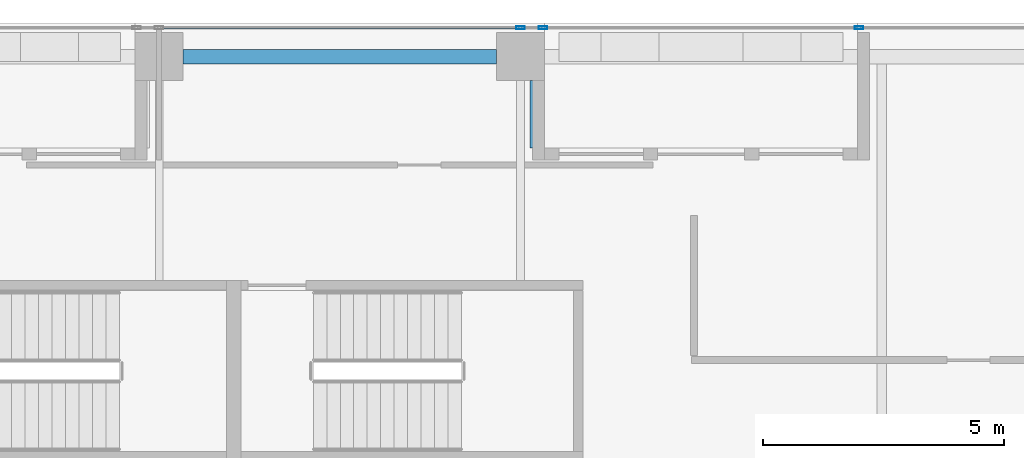
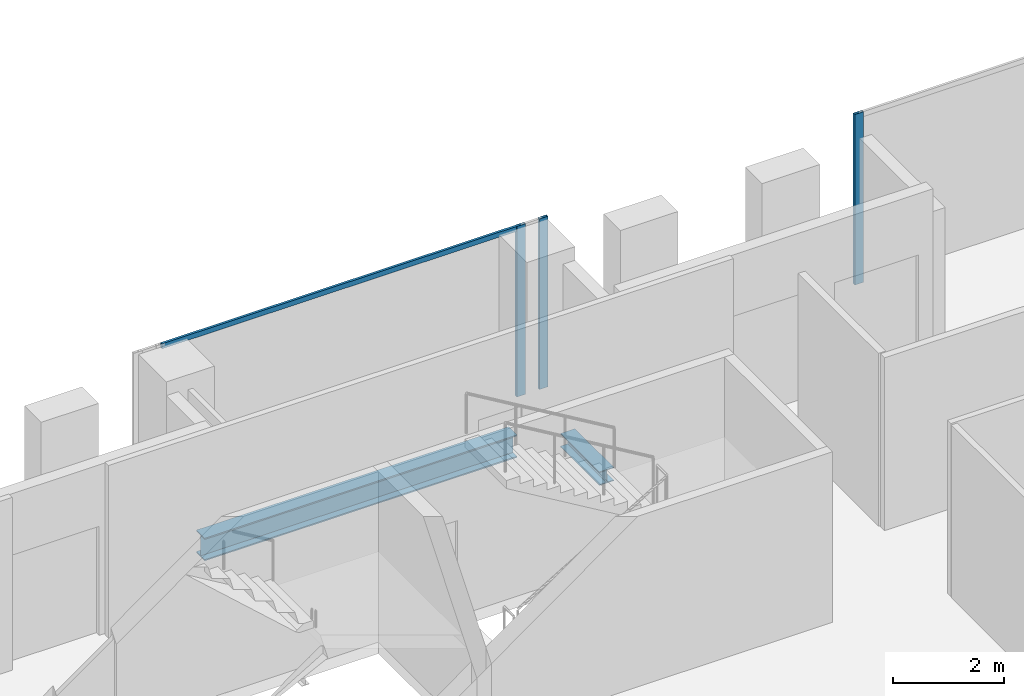
# One storey, part 20 of 38: 4 members, 2 beams, 2 elements without a shape of their own.
"""IFC4 building model written with IfcOpenShell, lengths in metres."""

from ifc_helpers import new_model, si_unit, direction, frame, origin, origin_2d, place, context, subcontext, project, spatial, hollow_rectangle, i_section, extrude, source, transform, mapped, material, material_profile, profile_set, type_object, element, aggregate, save


model = new_model("IFC4")

# Units and contexts
model_context = context("Model", 3, precision=1e-05, world=origin(), true_north=direction((0.0, 1.0)))
body_context = subcontext(model_context, "Body", "Model", "MODEL_VIEW")
ifc_project = project(units=[si_unit("LENGTHUNIT", "METRE"), si_unit("AREAUNIT", "SQUARE_METRE"), si_unit("VOLUMEUNIT", "CUBIC_METRE"), si_unit("PLANEANGLEUNIT", "RADIAN"), si_unit("MASSUNIT", "GRAM", prefix="KILO")], contexts=[model_context])

# Site, building, storey
site_placement = place(None, origin())
site = spatial("IfcSite", under=ifc_project, at=site_placement, CompositionType="ELEMENT")
building_placement = place(site_placement, origin())
building = spatial("IfcBuilding", under=site, at=building_placement, Name="Khomas Fold Tower", CompositionType="ELEMENT")
storey_placement = place(building_placement, frame((0.0, 0.0, 208.699951171875)))
storey = spatial("IfcBuildingStorey", under=building, at=storey_placement, Name="L46", CompositionType="ELEMENT", Elevation=208.699951171875)

# Beams
ifc_material_1 = material(Name="Steel S355", Category="steel")
ifc_material_profile_1 = material_profile(ifc_material_1, i_section(OverallWidth=0.300048828125, OverallDepth=0.5, WebThickness=0.014404296875, FlangeThickness=0.028076171875, at=origin_2d()), Name="HE 500 B")
ifc_profile_set_1 = profile_set([ifc_material_profile_1], Name="Steel S355")
beam_type_1 = type_object("IfcBeamType", Name="HE 500 B spandrel SB3", PredefinedType="SPANDREL", material=ifc_profile_set_1)
shared_shape_1 = source(origin(), body_context, "Body", "SweptSolid", [
    extrude(i_section(OverallWidth=0.300048828125, OverallDepth=0.5, WebThickness=0.014404296875, FlangeThickness=0.028076171875, at=origin_2d()), origin(), (0.0, 0.0, 1.0), 6.5),
])
beam_1_placement = place(storey_placement, frame((20.0, 50.300048828125, -0.5), z_axis=(1.0, 0.0, 0.0), x_axis=(0.0, 1.0, 0.0)))
element("IfcBeam", 1, at=beam_1_placement, inside=storey, type_object=beam_type_1, Name="SB3", PredefinedType="SPANDREL", context=body_context, shape_type="MappedRepresentation", body=[
    mapped(shared_shape_1, transform((0.0, 0.0, 0.0))),
])
ifc_material_2 = material(Name="Steel S355", Category="steel")
ifc_material_profile_2 = material_profile(ifc_material_2, i_section(OverallWidth=0.300048828125, OverallDepth=0.300048828125, WebThickness=0.010986328125, FlangeThickness=0.01904296875, at=origin_2d()), Name="HE 300 B")
ifc_profile_set_2 = profile_set([ifc_material_profile_2], Name="Steel S355")
beam_type_2 = type_object("IfcBeamType", Name="HE 300 B beam BB1", PredefinedType="BEAM", material=ifc_profile_set_2)
shared_shape_2 = source(origin(), body_context, "Body", "SweptSolid", [
    extrude(i_section(OverallWidth=0.300048828125, OverallDepth=0.300048828125, WebThickness=0.010986328125, FlangeThickness=0.01904296875, at=origin_2d()), origin(), (0.0, 0.0, 1.0), 1.400146484375),
])
beam_2_placement = place(storey_placement, frame((27.35009765625, 48.39990234375, -0.39990234375), z_axis=(0.0, 1.0, 0.0), x_axis=(-1.0, 0.0, 0.0)))
element("IfcBeam", 2, at=beam_2_placement, inside=storey, type_object=beam_type_2, Name="BB1", PredefinedType="BEAM", context=body_context, shape_type="MappedRepresentation", body=[
    mapped(shared_shape_2, transform((0.0, 0.0, 0.0))),
])

# Curtain wall, member
ifc_material_3 = material(Name="Aluminium framed double glazing", Category="aluminium")
curtain_wall_type = type_object("IfcCurtainWallType", Name="SK-Unitised clear-glass wall, office floors CW2", PredefinedType="NOTDEFINED", material=ifc_material_3)
curtain_wall_1_placement = place(storey_placement, origin())
curtain_wall_1 = element("IfcCurtainWall", 3, at=curtain_wall_1_placement, inside=storey, type_object=curtain_wall_type, Name="CW2 run L46 06-0", PredefinedType="NOTDEFINED")
ifc_material_4 = material(Name="Aluminium", Category="aluminium")
ifc_material_profile_3 = material_profile(ifc_material_4, hollow_rectangle(XDim=0.06005859375, YDim=0.179931640625, WallThickness=0.00390625, at=origin_2d()), Name="SK-Unitised clear-glass wall, office floors mullion CW2-M")
ifc_profile_set_3 = profile_set([ifc_material_profile_3], Name="Aluminium")
member_type_1 = type_object("IfcMemberType", Name="SK-Unitised clear-glass wall, office floors mullion CW2-M", PredefinedType="MULLION", material=ifc_profile_set_3)
shared_shape_3 = source(origin(), body_context, "Body", "SweptSolid", [
    extrude(hollow_rectangle(XDim=0.06005859375, YDim=0.179931640625, WallThickness=0.00390625, at=origin_2d()), origin(), (0.0, 0.0, 1.0), 3.75),
])
member_1_placement = place(storey_placement, frame((34.030029296875, 50.89990234375, 0.0), z_axis=(0.0, 0.0, 1.0), x_axis=(0.0, -1.0, 0.0)))
member_1 = element("IfcMember", 4, at=member_1_placement, type_object=member_type_1, Name="CW2 mullion 3", PredefinedType="MULLION", context=body_context, shape_type="MappedRepresentation", body=[
    mapped(shared_shape_3, transform((0.0, 0.0, 0.0))),
])
aggregate(curtain_wall_1, [member_1])

# Curtain wall, members
curtain_wall_2_placement = place(storey_placement, origin())
curtain_wall_2 = element("IfcCurtainWall", 5, at=curtain_wall_2_placement, inside=storey, type_object=curtain_wall_type, Name="CW2 run L46 06-1", PredefinedType="NOTDEFINED")
member_2_placement = place(storey_placement, frame((27.469970703125, 50.89990234375, 0.0), z_axis=(0.0, 0.0, 1.0), x_axis=(0.0, -1.0, 0.0)))
member_2 = element("IfcMember", 6, at=member_2_placement, type_object=member_type_1, Name="CW2 mullion 1", PredefinedType="MULLION", context=body_context, shape_type="MappedRepresentation", body=[
    mapped(shared_shape_3, transform((0.0, 0.0, 0.0))),
])
member_3_placement = place(storey_placement, frame((27.0, 50.89990234375, 0.0), z_axis=(0.0, 0.0, 1.0), x_axis=(0.0, -1.0, 0.0)))
member_3 = element("IfcMember", 7, at=member_3_placement, type_object=member_type_1, Name="CW2 mullion 2", PredefinedType="MULLION", context=body_context, shape_type="MappedRepresentation", body=[
    mapped(shared_shape_3, transform((0.0, 0.0, 0.0))),
])
ifc_material_5 = material(Name="Aluminium", Category="aluminium")
ifc_material_profile_4 = material_profile(ifc_material_5, hollow_rectangle(XDim=0.050048828125, YDim=0.110107421875, WallThickness=0.00390625, at=origin_2d()), Name="SK-Unitised clear-glass wall, office floors transom CW2-T")
ifc_profile_set_4 = profile_set([ifc_material_profile_4], Name="Aluminium")
member_type_2 = type_object("IfcMemberType", Name="SK-Unitised clear-glass wall, office floors transom CW2-T", PredefinedType="USERDEFINED", material=ifc_profile_set_4)
shared_shape_4 = source(origin(), body_context, "Body", "SweptSolid", [
    extrude(hollow_rectangle(XDim=0.050048828125, YDim=0.110107421875, WallThickness=0.00390625, at=origin_2d()), origin(), (0.0, 0.0, 1.0), 7.43994140625),
])
member_4_placement = place(storey_placement, frame((26.969970703125, 50.89990234375, 3.695068359375), z_axis=(-1.0, 0.0, 0.0), x_axis=(0.0, -1.0, 0.0)))
member_4 = element("IfcMember", 8, at=member_4_placement, type_object=member_type_2, Name="CW2 transom 2", ObjectType="TRANSOM", PredefinedType="USERDEFINED", context=body_context, shape_type="MappedRepresentation", body=[
    mapped(shared_shape_4, transform((0.0, 0.0, 0.0))),
])
aggregate(curtain_wall_2, [member_2, member_3, member_4])

save(model, "model.ifc")
